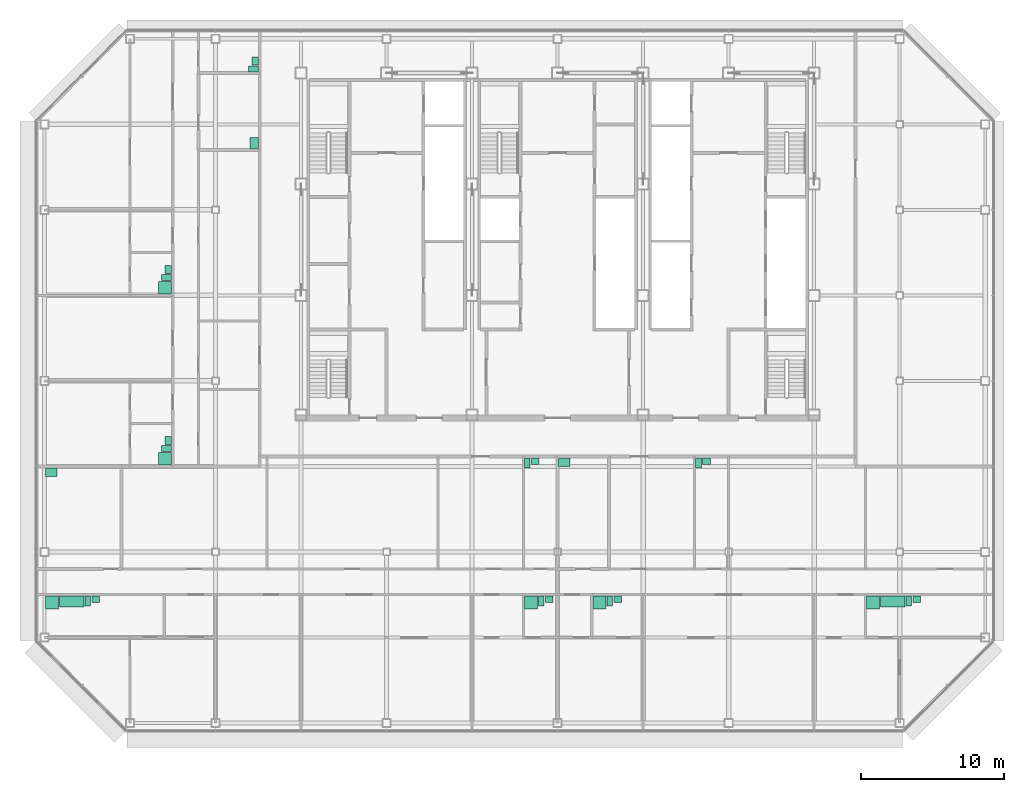
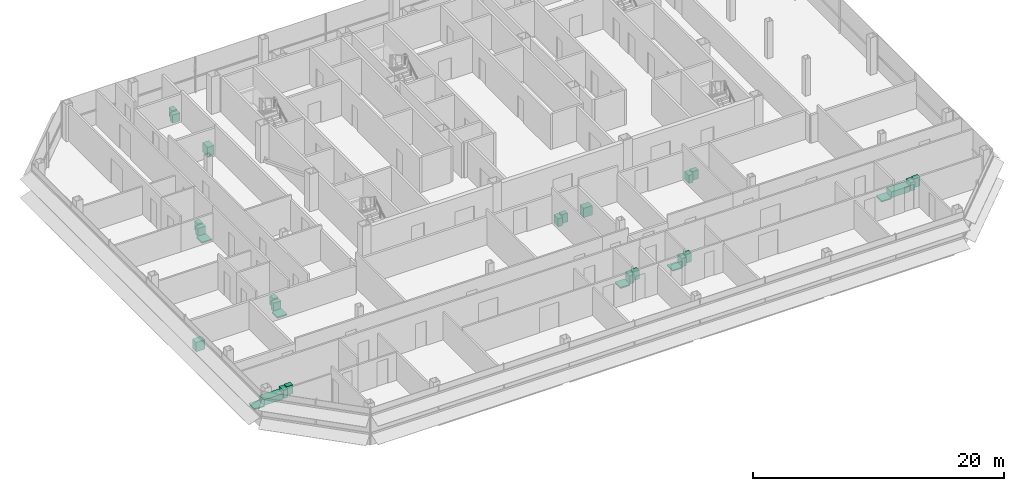
# One storey, part 28 of 28: 29 sanitary terminals.
"""IFC4 building model written with IfcOpenShell, lengths in metres."""

from ifc_helpers import new_model, si_unit, direction, frame, origin, origin_2d, place, context, subcontext, project, spatial, rectangle, extrude, element, save


model = new_model("IFC4")

# Units and contexts
model_context = context("Model", 3, precision=1e-05, world=origin(), true_north=direction((0.0, 1.0)))
body_context = subcontext(model_context, "Body", "Model", "MODEL_VIEW")
ifc_project = project(units=[si_unit("LENGTHUNIT", "METRE"), si_unit("AREAUNIT", "SQUARE_METRE"), si_unit("VOLUMEUNIT", "CUBIC_METRE"), si_unit("PLANEANGLEUNIT", "RADIAN"), si_unit("MASSUNIT", "GRAM", prefix="KILO")], contexts=[model_context])

# Site, building, storey
site_placement = place(None, origin())
site = spatial("IfcSite", under=ifc_project, at=site_placement, CompositionType="ELEMENT")
building_placement = place(site_placement, origin())
building = spatial("IfcBuilding", under=site, at=building_placement, Name="Sorahane Residences", CompositionType="ELEMENT")
storey_placement = place(building_placement, frame((0.0, 0.0, 273.800048828125)))
storey = spatial("IfcBuildingStorey", under=building, at=storey_placement, Name="L65", CompositionType="ELEMENT", Elevation=273.800048828125)

# Sanitary terminals
sanitary_terminal_1_placement = place(storey_placement, frame((-11.469970703125, 8.449951171875, 0.0), z_axis=(0.0, 0.0, 1.0), x_axis=(1.0, 0.0, 0.0)))
element("IfcSanitaryTerminal", 1, at=sanitary_terminal_1_placement, inside=storey, Name="Shower tray En-suite bathroom 65A", PredefinedType="SHOWER", context=body_context, shape_type="SweptSolid", body=[
    extrude(rectangle(XDim=0.89990234375, YDim=0.89990234375, at=origin_2d()), origin(), (0.0, 0.0, 1.0), 0.1201171875),
])
sanitary_terminal_2_placement = place(storey_placement, frame((-10.090087890625, 8.52490234375, 0.0), z_axis=(0.0, 0.0, 1.0), x_axis=(1.0, 0.0, 0.0)))
element("IfcSanitaryTerminal", 2, at=sanitary_terminal_2_placement, inside=storey, Name="Bath En-suite bathroom 65A", PredefinedType="BATH", context=body_context, shape_type="SweptSolid", body=[
    extrude(rectangle(XDim=1.699951171875, YDim=0.75, at=origin_2d()), origin(), (0.0, 0.0, 1.0), 0.56005859375),
])
sanitary_terminal_3_placement = place(storey_placement, frame((-8.9599609375, 8.550048828125, 0.0), z_axis=(0.0, 0.0, 1.0), x_axis=(1.0, 0.0, 0.0)))
element("IfcSanitaryTerminal", 3, at=sanitary_terminal_3_placement, inside=storey, Name="WC pan En-suite bathroom 65A", PredefinedType="TOILETPAN", context=body_context, shape_type="SweptSolid", body=[
    extrude(rectangle(XDim=0.39990234375, YDim=0.699951171875, at=origin_2d()), origin(), (0.0, 0.0, 1.0), 0.800048828125),
])
sanitary_terminal_4_placement = place(storey_placement, frame((-8.405029296875, 8.675048828125, 0.0), z_axis=(0.0, 0.0, 1.0), x_axis=(1.0, 0.0, 0.0)))
element("IfcSanitaryTerminal", 4, at=sanitary_terminal_4_placement, inside=storey, Name="Wash basin En-suite bathroom 65A", PredefinedType="WASHHANDBASIN", context=body_context, shape_type="SweptSolid", body=[
    extrude(rectangle(XDim=0.550048828125, YDim=0.449951171875, at=origin_2d()), origin(), (0.0, 0.0, 1.0), 0.85009765625),
])
sanitary_terminal_5_placement = place(storey_placement, frame((22.1298828125, 8.449951171875, 0.0), z_axis=(0.0, 0.0, 1.0), x_axis=(1.0, 0.0, 0.0)))
element("IfcSanitaryTerminal", 5, at=sanitary_terminal_5_placement, inside=storey, Name="Shower tray En-suite bathroom 65A-2", PredefinedType="SHOWER", context=body_context, shape_type="SweptSolid", body=[
    extrude(rectangle(XDim=0.89990234375, YDim=0.89990234375, at=origin_2d()), origin(), (0.0, 0.0, 1.0), 0.1201171875),
])
sanitary_terminal_6_placement = place(storey_placement, frame((22.860107421875, 8.550048828125, 0.0), z_axis=(0.0, 0.0, 1.0), x_axis=(1.0, 0.0, 0.0)))
element("IfcSanitaryTerminal", 6, at=sanitary_terminal_6_placement, inside=storey, Name="WC pan En-suite bathroom 65A-2", PredefinedType="TOILETPAN", context=body_context, shape_type="SweptSolid", body=[
    extrude(rectangle(XDim=0.39990234375, YDim=0.699951171875, at=origin_2d()), origin(), (0.0, 0.0, 1.0), 0.800048828125),
])
sanitary_terminal_7_placement = place(storey_placement, frame((23.4150390625, 8.675048828125, 0.0), z_axis=(0.0, 0.0, 1.0), x_axis=(1.0, 0.0, 0.0)))
element("IfcSanitaryTerminal", 7, at=sanitary_terminal_7_placement, inside=storey, Name="Wash basin En-suite bathroom 65A-2", PredefinedType="WASHHANDBASIN", context=body_context, shape_type="SweptSolid", body=[
    extrude(rectangle(XDim=0.550048828125, YDim=0.449951171875, at=origin_2d()), origin(), (0.0, 0.0, 1.0), 0.85009765625),
])
sanitary_terminal_8_placement = place(storey_placement, frame((-11.52001953125, 17.60009765625, 0.0), z_axis=(0.0, 0.0, 1.0), x_axis=(1.0, 0.0, 0.0)))
element("IfcSanitaryTerminal", 8, at=sanitary_terminal_8_placement, inside=storey, Name="Kitchen sink Kitchen 65A", PredefinedType="SINK", context=body_context, shape_type="SweptSolid", body=[
    extrude(rectangle(XDim=0.800048828125, YDim=0.60009765625, at=origin_2d()), origin(), (0.0, 0.0, 1.0), 0.89990234375),
])
sanitary_terminal_9_placement = place(storey_placement, frame((21.8798828125, 18.25, 0.0), z_axis=(0.0, 0.0, 1.0), x_axis=(1.0, 0.0, 0.0)))
element("IfcSanitaryTerminal", 9, at=sanitary_terminal_9_placement, inside=storey, Name="WC pan Guest WC 65A", PredefinedType="TOILETPAN", context=body_context, shape_type="SweptSolid", body=[
    extrude(rectangle(XDim=0.39990234375, YDim=0.699951171875, at=origin_2d()), origin(), (0.0, 0.0, 1.0), 0.800048828125),
])
sanitary_terminal_10_placement = place(storey_placement, frame((22.43505859375, 18.375, 0.0), z_axis=(0.0, 0.0, 1.0), x_axis=(1.0, 0.0, 0.0)))
element("IfcSanitaryTerminal", 10, at=sanitary_terminal_10_placement, inside=storey, Name="Wash basin Guest WC 65A", PredefinedType="WASHHANDBASIN", context=body_context, shape_type="SweptSolid", body=[
    extrude(rectangle(XDim=0.550048828125, YDim=0.449951171875, at=origin_2d()), origin(), (0.0, 0.0, 1.0), 0.85009765625),
])
sanitary_terminal_11_placement = place(storey_placement, frame((26.929931640625, 8.449951171875, 0.0), z_axis=(0.0, 0.0, 1.0), x_axis=(1.0, 0.0, 0.0)))
element("IfcSanitaryTerminal", 11, at=sanitary_terminal_11_placement, inside=storey, Name="Shower tray En-suite bathroom 65B", PredefinedType="SHOWER", context=body_context, shape_type="SweptSolid", body=[
    extrude(rectangle(XDim=0.89990234375, YDim=0.89990234375, at=origin_2d()), origin(), (0.0, 0.0, 1.0), 0.1201171875),
])
sanitary_terminal_12_placement = place(storey_placement, frame((27.659912109375, 8.550048828125, 0.0), z_axis=(0.0, 0.0, 1.0), x_axis=(1.0, 0.0, 0.0)))
element("IfcSanitaryTerminal", 12, at=sanitary_terminal_12_placement, inside=storey, Name="WC pan En-suite bathroom 65B", PredefinedType="TOILETPAN", context=body_context, shape_type="SweptSolid", body=[
    extrude(rectangle(XDim=0.39990234375, YDim=0.699951171875, at=origin_2d()), origin(), (0.0, 0.0, 1.0), 0.800048828125),
])
sanitary_terminal_13_placement = place(storey_placement, frame((28.215087890625, 8.675048828125, 0.0), z_axis=(0.0, 0.0, 1.0), x_axis=(1.0, 0.0, 0.0)))
element("IfcSanitaryTerminal", 13, at=sanitary_terminal_13_placement, inside=storey, Name="Wash basin En-suite bathroom 65B", PredefinedType="WASHHANDBASIN", context=body_context, shape_type="SweptSolid", body=[
    extrude(rectangle(XDim=0.550048828125, YDim=0.449951171875, at=origin_2d()), origin(), (0.0, 0.0, 1.0), 0.85009765625),
])
sanitary_terminal_14_placement = place(storey_placement, frame((46.1298828125, 8.449951171875, 0.0), z_axis=(0.0, 0.0, 1.0), x_axis=(1.0, 0.0, 0.0)))
element("IfcSanitaryTerminal", 14, at=sanitary_terminal_14_placement, inside=storey, Name="Shower tray En-suite bathroom 65B-2", PredefinedType="SHOWER", context=body_context, shape_type="SweptSolid", body=[
    extrude(rectangle(XDim=0.89990234375, YDim=0.89990234375, at=origin_2d()), origin(), (0.0, 0.0, 1.0), 0.1201171875),
])
sanitary_terminal_15_placement = place(storey_placement, frame((47.510009765625, 8.52490234375, 0.0), z_axis=(0.0, 0.0, 1.0), x_axis=(1.0, 0.0, 0.0)))
element("IfcSanitaryTerminal", 15, at=sanitary_terminal_15_placement, inside=storey, Name="Bath En-suite bathroom 65B-2", PredefinedType="BATH", context=body_context, shape_type="SweptSolid", body=[
    extrude(rectangle(XDim=1.699951171875, YDim=0.75, at=origin_2d()), origin(), (0.0, 0.0, 1.0), 0.56005859375),
])
sanitary_terminal_16_placement = place(storey_placement, frame((48.639892578125, 8.550048828125, 0.0), z_axis=(0.0, 0.0, 1.0), x_axis=(1.0, 0.0, 0.0)))
element("IfcSanitaryTerminal", 16, at=sanitary_terminal_16_placement, inside=storey, Name="WC pan En-suite bathroom 65B-2", PredefinedType="TOILETPAN", context=body_context, shape_type="SweptSolid", body=[
    extrude(rectangle(XDim=0.39990234375, YDim=0.699951171875, at=origin_2d()), origin(), (0.0, 0.0, 1.0), 0.800048828125),
])
sanitary_terminal_17_placement = place(storey_placement, frame((49.195068359375, 8.675048828125, 0.0), z_axis=(0.0, 0.0, 1.0), x_axis=(1.0, 0.0, 0.0)))
element("IfcSanitaryTerminal", 17, at=sanitary_terminal_17_placement, inside=storey, Name="Wash basin En-suite bathroom 65B-2", PredefinedType="WASHHANDBASIN", context=body_context, shape_type="SweptSolid", body=[
    extrude(rectangle(XDim=0.550048828125, YDim=0.449951171875, at=origin_2d()), origin(), (0.0, 0.0, 1.0), 0.85009765625),
])
sanitary_terminal_18_placement = place(storey_placement, frame((24.47998046875, 18.300048828125, 0.0), z_axis=(0.0, 0.0, 1.0), x_axis=(1.0, 0.0, 0.0)))
element("IfcSanitaryTerminal", 18, at=sanitary_terminal_18_placement, inside=storey, Name="Kitchen sink Kitchen 65B", PredefinedType="SINK", context=body_context, shape_type="SweptSolid", body=[
    extrude(rectangle(XDim=0.800048828125, YDim=0.60009765625, at=origin_2d()), origin(), (0.0, 0.0, 1.0), 0.89990234375),
])
sanitary_terminal_19_placement = place(storey_placement, frame((33.8798828125, 18.25, 0.0), z_axis=(0.0, 0.0, 1.0), x_axis=(1.0, 0.0, 0.0)))
element("IfcSanitaryTerminal", 19, at=sanitary_terminal_19_placement, inside=storey, Name="WC pan Guest WC 65B", PredefinedType="TOILETPAN", context=body_context, shape_type="SweptSolid", body=[
    extrude(rectangle(XDim=0.39990234375, YDim=0.699951171875, at=origin_2d()), origin(), (0.0, 0.0, 1.0), 0.800048828125),
])
sanitary_terminal_20_placement = place(storey_placement, frame((34.43505859375, 18.375, 0.0), z_axis=(0.0, 0.0, 1.0), x_axis=(1.0, 0.0, 0.0)))
element("IfcSanitaryTerminal", 20, at=sanitary_terminal_20_placement, inside=storey, Name="Wash basin Guest WC 65B", PredefinedType="WASHHANDBASIN", context=body_context, shape_type="SweptSolid", body=[
    extrude(rectangle(XDim=0.550048828125, YDim=0.449951171875, at=origin_2d()), origin(), (0.0, 0.0, 1.0), 0.85009765625),
])
sanitary_terminal_21_placement = place(storey_placement, frame((-3.550048828125, 18.530029296875, 0.0), z_axis=(0.0, 0.0, 1.0), x_axis=(0.0, -1.0, 0.0)))
element("IfcSanitaryTerminal", 21, at=sanitary_terminal_21_placement, inside=storey, Name="Shower tray En-suite bathroom 65C", PredefinedType="SHOWER", context=body_context, shape_type="SweptSolid", body=[
    extrude(rectangle(XDim=0.89990234375, YDim=0.89990234375, at=origin_2d()), origin(), (0.0, 0.0, 1.0), 0.1201171875),
])
sanitary_terminal_22_placement = place(storey_placement, frame((-3.449951171875, 19.260009765625, 0.0), z_axis=(0.0, 0.0, 1.0), x_axis=(0.0, -1.0, 0.0)))
element("IfcSanitaryTerminal", 22, at=sanitary_terminal_22_placement, inside=storey, Name="WC pan En-suite bathroom 65C", PredefinedType="TOILETPAN", context=body_context, shape_type="SweptSolid", body=[
    extrude(rectangle(XDim=0.39990234375, YDim=0.699951171875, at=origin_2d()), origin(), (0.0, 0.0, 1.0), 0.800048828125),
])
sanitary_terminal_23_placement = place(storey_placement, frame((-3.324951171875, 19.81494140625, 0.0), z_axis=(0.0, 0.0, 1.0), x_axis=(0.0, -1.0, 0.0)))
element("IfcSanitaryTerminal", 23, at=sanitary_terminal_23_placement, inside=storey, Name="Wash basin En-suite bathroom 65C", PredefinedType="WASHHANDBASIN", context=body_context, shape_type="SweptSolid", body=[
    extrude(rectangle(XDim=0.550048828125, YDim=0.449951171875, at=origin_2d()), origin(), (0.0, 0.0, 1.0), 0.85009765625),
])
sanitary_terminal_24_placement = place(storey_placement, frame((-3.550048828125, 30.530029296875, 0.0), z_axis=(0.0, 0.0, 1.0), x_axis=(0.0, -1.0, 0.0)))
element("IfcSanitaryTerminal", 24, at=sanitary_terminal_24_placement, inside=storey, Name="Shower tray En-suite bathroom 65C-2", PredefinedType="SHOWER", context=body_context, shape_type="SweptSolid", body=[
    extrude(rectangle(XDim=0.89990234375, YDim=0.89990234375, at=origin_2d()), origin(), (0.0, 0.0, 1.0), 0.1201171875),
])
sanitary_terminal_25_placement = place(storey_placement, frame((-3.449951171875, 31.260009765625, 0.0), z_axis=(0.0, 0.0, 1.0), x_axis=(0.0, -1.0, 0.0)))
element("IfcSanitaryTerminal", 25, at=sanitary_terminal_25_placement, inside=storey, Name="WC pan En-suite bathroom 65C-2", PredefinedType="TOILETPAN", context=body_context, shape_type="SweptSolid", body=[
    extrude(rectangle(XDim=0.39990234375, YDim=0.699951171875, at=origin_2d()), origin(), (0.0, 0.0, 1.0), 0.800048828125),
])
sanitary_terminal_26_placement = place(storey_placement, frame((-3.324951171875, 31.81494140625, 0.0), z_axis=(0.0, 0.0, 1.0), x_axis=(0.0, -1.0, 0.0)))
element("IfcSanitaryTerminal", 26, at=sanitary_terminal_26_placement, inside=storey, Name="Wash basin En-suite bathroom 65C-2", PredefinedType="WASHHANDBASIN", context=body_context, shape_type="SweptSolid", body=[
    extrude(rectangle(XDim=0.550048828125, YDim=0.449951171875, at=origin_2d()), origin(), (0.0, 0.0, 1.0), 0.85009765625),
])
sanitary_terminal_27_placement = place(storey_placement, frame((2.699951171875, 40.679931640625, 0.0), z_axis=(0.0, 0.0, 1.0), x_axis=(0.0, -1.0, 0.0)))
element("IfcSanitaryTerminal", 27, at=sanitary_terminal_27_placement, inside=storey, Name="Kitchen sink Kitchen 65C", PredefinedType="SINK", context=body_context, shape_type="SweptSolid", body=[
    extrude(rectangle(XDim=0.800048828125, YDim=0.60009765625, at=origin_2d()), origin(), (0.0, 0.0, 1.0), 0.89990234375),
])
sanitary_terminal_28_placement = place(storey_placement, frame((2.64990234375, 45.8798828125, 0.0), z_axis=(0.0, 0.0, 1.0), x_axis=(0.0, -1.0, 0.0)))
element("IfcSanitaryTerminal", 28, at=sanitary_terminal_28_placement, inside=storey, Name="WC pan Powder room 65C", PredefinedType="TOILETPAN", context=body_context, shape_type="SweptSolid", body=[
    extrude(rectangle(XDim=0.39990234375, YDim=0.699951171875, at=origin_2d()), origin(), (0.0, 0.0, 1.0), 0.800048828125),
])
sanitary_terminal_29_placement = place(storey_placement, frame((2.77490234375, 46.43505859375, 0.0), z_axis=(0.0, 0.0, 1.0), x_axis=(0.0, -1.0, 0.0)))
element("IfcSanitaryTerminal", 29, at=sanitary_terminal_29_placement, inside=storey, Name="Wash basin Powder room 65C", PredefinedType="WASHHANDBASIN", context=body_context, shape_type="SweptSolid", body=[
    extrude(rectangle(XDim=0.550048828125, YDim=0.449951171875, at=origin_2d()), origin(), (0.0, 0.0, 1.0), 0.85009765625),
])

save(model, "model.ifc")
